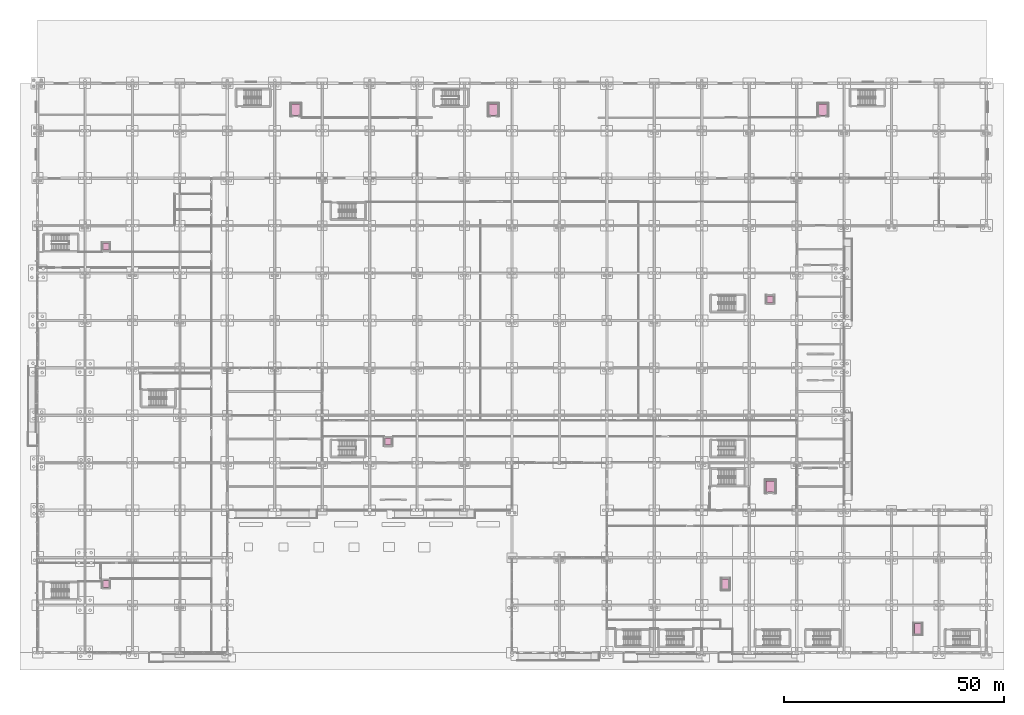
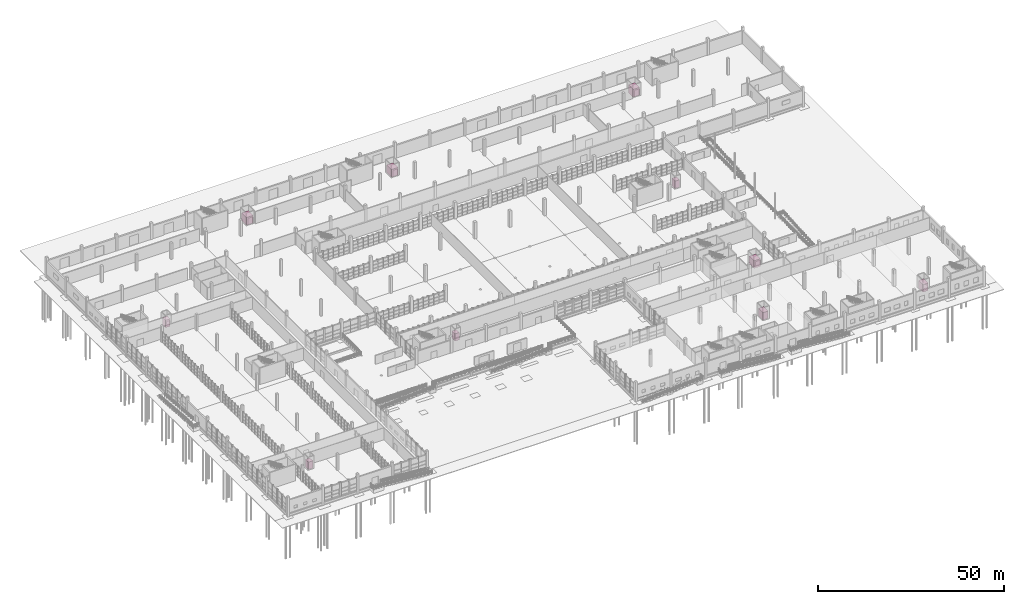
# One storey, part 138 of 138: 10 transport elements.
"""IFC4 building model written with IfcOpenShell, lengths in metres."""

import ifcopenshell
import ifcopenshell.guid

model = None  # the IFC model being written
_history = None  # IfcOwnerHistory: only IFC2X3 demands one
_inside = {}  # id of a spatial element -> (the spatial element, [elements in it])
_under = {}  # id of a project, library or spatial element -> (it, [spatial elements below it])
_declared = {}  # id of a project -> (the project, [libraries it declares])
_typed = {}  # id of a type object -> (the type object, [elements of that type])
_made_of = {}  # id of a material, layer set ... -> (it, [elements and type objects made of it])


def new_model(schema):
    """Start an empty IFC model of exactly this schema.

    Asked for "IFC4X3", IfcOpenShell would pick the latest addendum, in which some entities
    have other attributes; the version numbers below select the first issue.
    IFC2X3 requires an IfcOwnerHistory on every rooted entity: one is made here for all.
    """
    global model, _history
    if schema == "IFC4X3":
        model = ifcopenshell.file(schema_version=(4, 3, 0, 0))
    else:
        model = ifcopenshell.file(schema=schema)
    _inside.clear()
    _under.clear()
    _declared.clear()
    _typed.clear()
    _made_of.clear()
    _history = None
    if model.schema == "IFC2X3":
        org = make("IfcOrganization", Name="unknown")
        user = make(
            "IfcPersonAndOrganization",
            ThePerson=make("IfcPerson", FamilyName="unknown"),
            TheOrganization=org,
        )
        app = make(
            "IfcApplication",
            ApplicationDeveloper=org,
            Version="unknown",
            ApplicationFullName="unknown",
            ApplicationIdentifier="unknown",
        )
        _history = make(
            "IfcOwnerHistory",
            OwningUser=user,
            OwningApplication=app,
            ChangeAction="ADDED",
            CreationDate=0,
        )
    return model


def make(cls, **values):
    """One entity of the class cls with the attributes given. An attribute that is None is left unset."""
    return model.create_entity(
        cls, **{name: value for name, value in values.items() if value is not None}
    )


def rooted(cls, **values):
    """An entity with a GlobalId (a new one), such as an element, a storey or a relation."""
    return make(cls, GlobalId=ifcopenshell.guid.new(), OwnerHistory=_history, **values)


def si_unit(unit_type, name, prefix=None):
    """IfcSIUnit, for example si_unit("LENGTHUNIT", "METRE", prefix="MILLI")."""
    return make("IfcSIUnit", UnitType=unit_type, Prefix=prefix, Name=name)


def assignment(units):
    """IfcUnitAssignment: the units of a project."""
    return None if units is None else make("IfcUnitAssignment", Units=units)


def point(xyz):
    """IfcCartesianPoint."""
    return None if xyz is None else make("IfcCartesianPoint", Coordinates=xyz)


def direction(xyz):
    """IfcDirection."""
    return None if xyz is None else make("IfcDirection", DirectionRatios=xyz)


def frame(location, z_axis=None, x_axis=None):
    """IfcAxis2Placement3D, a coordinate frame: its origin and axes. An axis left out is left unset."""
    return make(
        "IfcAxis2Placement3D",
        Location=point(location),
        Axis=direction(z_axis),
        RefDirection=direction(x_axis),
    )


def frame_2d(location, x_axis=None):
    """IfcAxis2Placement2D, a coordinate frame in the plane: its origin and x axis."""
    return make(
        "IfcAxis2Placement2D", Location=point(location), RefDirection=direction(x_axis)
    )


def origin():
    """The frame at (0, 0, 0) with its axes left unset."""
    return frame((0.0, 0.0, 0.0))


def origin_2d():
    """The frame at (0, 0) in the plane with its x axis left unset."""
    return frame_2d((0.0, 0.0))


def place(relative_to, where):
    """IfcLocalPlacement: puts the frame where relative to a parent placement (None: the world)."""
    return make(
        "IfcLocalPlacement", PlacementRelTo=relative_to, RelativePlacement=where
    )


def context(
    kind, dimensions, precision=None, world=None, true_north=None, identifier=None
):
    """IfcGeometricRepresentationContext, for example the 3D "Model" context."""
    return make(
        "IfcGeometricRepresentationContext",
        ContextIdentifier=identifier,
        ContextType=kind,
        CoordinateSpaceDimension=dimensions,
        Precision=precision,
        WorldCoordinateSystem=world,
        TrueNorth=true_north,
    )


def subcontext(parent, identifier, kind, view, scale=None):
    """IfcGeometricRepresentationSubContext, for example "Body" below "Model"."""
    return make(
        "IfcGeometricRepresentationSubContext",
        ContextIdentifier=identifier,
        ContextType=kind,
        ParentContext=parent,
        TargetScale=scale,
        TargetView=view,
    )


def project(units=None, contexts=None):
    """IfcProject with its units and contexts."""
    return rooted(
        "IfcProject",
        Name="project",
        RepresentationContexts=contexts,
        UnitsInContext=assignment(units),
    )


def spatial(cls, under=None, at=None, **own):
    """A site, building, storey or space (cls), placed at a placement, below another one or the project."""
    s = rooted(cls, ObjectPlacement=at, **own)
    if under is not None:
        _under.setdefault(under.id(), (under, []))[1].append(s)
    return s


def profile(cls, at=None, kind="AREA", **sizes):
    """A parametric profile (cls). Its sizes go by their IFC names, for example OverallWidth=200.0."""
    return make(cls, ProfileType=kind, Position=at, **sizes)


def rectangle(**sizes):
    """IfcRectangleProfileDef."""
    return profile("IfcRectangleProfileDef", **sizes)


def extrude(swept, where, along, depth):
    """IfcExtrudedAreaSolid: the profile swept, set in the frame where, extruded along a direction by depth."""
    return make(
        "IfcExtrudedAreaSolid",
        SweptArea=swept,
        Position=where,
        ExtrudedDirection=direction(along),
        Depth=depth,
    )


def shape(context_of_items, identifier, shape_type, items):
    """IfcShapeRepresentation: the items that make up one representation, for example the "Body"."""
    return make(
        "IfcShapeRepresentation",
        ContextOfItems=context_of_items,
        RepresentationIdentifier=identifier,
        RepresentationType=shape_type,
        Items=items,
    )


def material(Name=None, Category=None):
    """IfcMaterial."""
    return make("IfcMaterial", Name=Name, Category=Category)


def made_of(thing, what):
    """Note that an element or type object is made of a material, layer set ...; save() writes the relation."""
    if what is not None:
        _made_of.setdefault(what.id(), (what, []))[1].append(thing)
    return thing


def type_object(cls, material=None, **own):
    """A type object (cls), such as IfcWallType, which elements share."""
    return made_of(rooted(cls, **own), material)


def element(
    cls,
    number,
    at=None,
    inside=None,
    cuts=None,
    type_object=None,
    material=None,
    context=None,
    identifier="Body",
    shape_type=None,
    held_by="IfcProductDefinitionShape",
    body=None,
    shapes=None,
    **own,
):
    """One element of the class cls, such as IfcWall. Its Tag is "e" and its number.

    at: its placement. inside: the storey or other place that contains it. cuts: it is an
    opening in that element (IfcRelVoidsElement). A single representation is given by context,
    identifier, shape_type and body (its items); several are given by shapes. held_by: the class
    of the entity that holds the representations. save() writes the other relations.
    """
    e = rooted(cls, Tag="e%d" % number, ObjectPlacement=at, **own)
    if body is not None:
        shapes = [shape(context, identifier, shape_type, body)]
    if shapes is not None:
        e.Representation = make(held_by, Representations=shapes)
    if inside is not None:
        _inside.setdefault(inside.id(), (inside, []))[1].append(e)
    if cuts is not None:
        rooted(
            "IfcRelVoidsElement", RelatingBuildingElement=cuts, RelatedOpeningElement=e
        )
    if type_object is not None:
        _typed.setdefault(type_object.id(), (type_object, []))[1].append(e)
    return made_of(e, material)


def aggregate(whole, parts):
    """IfcRelAggregates: a whole, such as a stair, and the parts it consists of."""
    return rooted("IfcRelAggregates", RelatingObject=whole, RelatedObjects=parts)


def save(model, path):
    """Write the relations noted so far, then the file.

    IfcRelAggregates (storeys below a building ...), IfcRelContainedInSpatialStructure (elements
    in a storey), IfcRelDefinesByType, IfcRelAssociatesMaterial and IfcRelDeclares: one each for
    every whole, place, type object, material and project.
    """
    for whole, parts in _under.values():
        aggregate(whole, parts)
    for where, things in _inside.values():
        rooted(
            "IfcRelContainedInSpatialStructure",
            RelatedElements=things,
            RelatingStructure=where,
        )
    for kind, things in _typed.values():
        rooted("IfcRelDefinesByType", RelatedObjects=things, RelatingType=kind)
    for what, things in _made_of.values():
        rooted("IfcRelAssociatesMaterial", RelatedObjects=things, RelatingMaterial=what)
    for by, libraries in _declared.values():
        rooted("IfcRelDeclares", RelatingContext=by, RelatedDefinitions=libraries)
    model.write(path)


model = new_model("IFC4")

# Units and contexts
model_context = context("Model", 3, precision=1e-05, world=origin(), true_north=direction((0.0, 1.0)))
body_context = subcontext(model_context, "Body", "Model", "MODEL_VIEW")
ifc_project = project(units=[si_unit("LENGTHUNIT", "METRE"), si_unit("AREAUNIT", "SQUARE_METRE"), si_unit("VOLUMEUNIT", "CUBIC_METRE"), si_unit("PLANEANGLEUNIT", "RADIAN"), si_unit("MASSUNIT", "GRAM", prefix="KILO")], contexts=[model_context])

# Site, building, storey
site_placement = place(None, origin())
site = spatial("IfcSite", under=ifc_project, at=site_placement, CompositionType="ELEMENT")
building_placement = place(site_placement, origin())
building = spatial("IfcBuilding", under=site, at=building_placement, Name="Zwinboog Wholesale Market", CompositionType="ELEMENT")
storey_placement = place(building_placement, origin())
storey = spatial("IfcBuildingStorey", under=building, at=storey_placement, Name="L00", CompositionType="ELEMENT", Elevation=0.0)

# Transport elements
ifc_material_1 = material(Name="Stainless steel elevator cab", Category="steel")
transport_element_type_1 = type_object("IfcTransportElementType", Name="LIFT-PASS-1050", PredefinedType="ELEVATOR", material=ifc_material_1)
for number, where, z_axis, x_axis, name in (
    (1, (15.60009765625, 15.60009765625, 0.0), (0.0, 0.0, 1.0), (1.0, 0.0, 0.0), "Elevator LP-01"),
    (2, (15.60009765625, 92.39990234375, 0.0), (0.0, 0.0, 1.0), (1.0, 0.0, 0.0), "Elevator LP-02"),
    (3, (79.800048828125, 48.0, 0.0), (0.0, 0.0, 1.0), (1.0, 0.0, 0.0), "Elevator LP-03"),
    (4, (166.800048828125, 80.39990234375, 0.0), (0.0, 0.0, 1.0), (1.0, 0.0, 0.0), "Elevator LP-04"),
):
    element("IfcTransportElement", number, at=place(storey_placement, frame(where, z_axis=z_axis, x_axis=x_axis)), inside=storey, type_object=transport_element_type_1, Name=name, PredefinedType="ELEVATOR", context=body_context, shape_type="SweptSolid", body=[
        extrude(rectangle(XDim=1.39990234375, YDim=1.60009765625, at=origin_2d()), origin(), (0.0, 0.0, 1.0), 2.39990234375),
    ])
ifc_material_2 = material(Name="Stainless steel stretcher elevator cab", Category="steel")
transport_element_type_2 = type_object("IfcTransportElementType", Name="LIFT-STR-1600", PredefinedType="ELEVATOR", material=ifc_material_2)
for number, where, z_axis, x_axis, name in (
    (5, (200.39990234375, 5.39990234375, 0.0), (0.0, 0.0, 1.0), (1.0, 0.0, 0.0), "Elevator LP-05"),
    (6, (156.60009765625, 15.60009765625, 0.0), (0.0, 0.0, 1.0), (1.0, 0.0, 0.0), "Elevator LP-06"),
):
    element("IfcTransportElement", number, at=place(storey_placement, frame(where, z_axis=z_axis, x_axis=x_axis)), inside=storey, type_object=transport_element_type_2, Name=name, PredefinedType="ELEVATOR", context=body_context, shape_type="SweptSolid", body=[
        extrude(rectangle(XDim=1.60009765625, YDim=2.39990234375, at=origin_2d()), origin(), (0.0, 0.0, 1.0), 2.39990234375),
    ])
ifc_material_3 = material(Name="Heavy-duty stainless steel pallet goods lift 2500 kg", Category="steel")
transport_element_type_3 = type_object("IfcTransportElementType", Name="LIFT-GOODS-2500", PredefinedType="ELEVATOR", material=ifc_material_3)
for number, where, z_axis, x_axis, name in (
    (7, (58.800048828125, 123.60009765625, 0.0), (0.0, 0.0, 1.0), (1.0, 0.0, 0.0), "Elevator LG-01"),
    (8, (103.800048828125, 123.60009765625, 0.0), (0.0, 0.0, 1.0), (1.0, 0.0, 0.0), "Elevator LG-02"),
    (9, (178.800048828125, 123.60009765625, 0.0), (0.0, 0.0, 1.0), (1.0, 0.0, 0.0), "Elevator LG-03"),
    (10, (166.800048828125, 37.800048828125, 0.0), (0.0, 0.0, 1.0), (1.0, 0.0, 0.0), "Elevator LG-04"),
):
    element("IfcTransportElement", number, at=place(storey_placement, frame(where, z_axis=z_axis, x_axis=x_axis)), inside=storey, type_object=transport_element_type_3, Name=name, PredefinedType="ELEVATOR", context=body_context, shape_type="SweptSolid", body=[
        extrude(rectangle(XDim=2.0, YDim=2.60009765625, at=origin_2d()), origin(), (0.0, 0.0, 1.0), 2.5),
    ])

save(model, "model.ifc")
